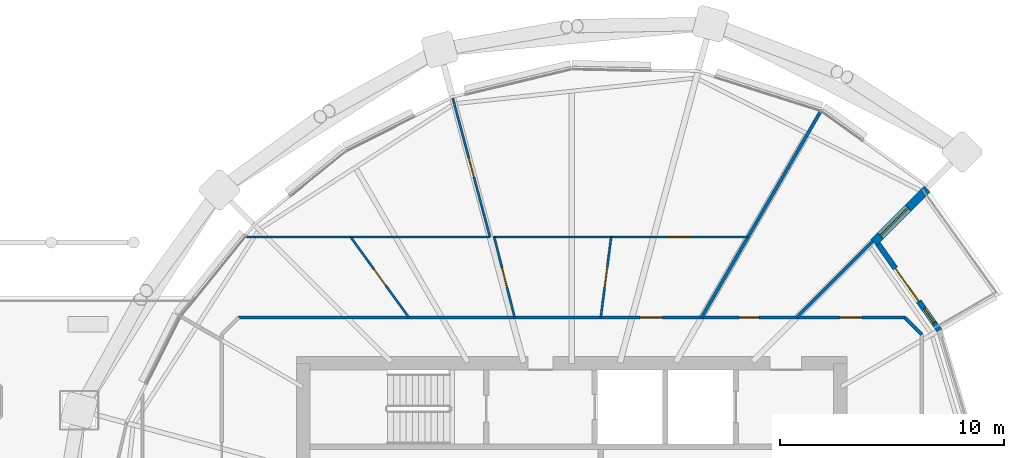
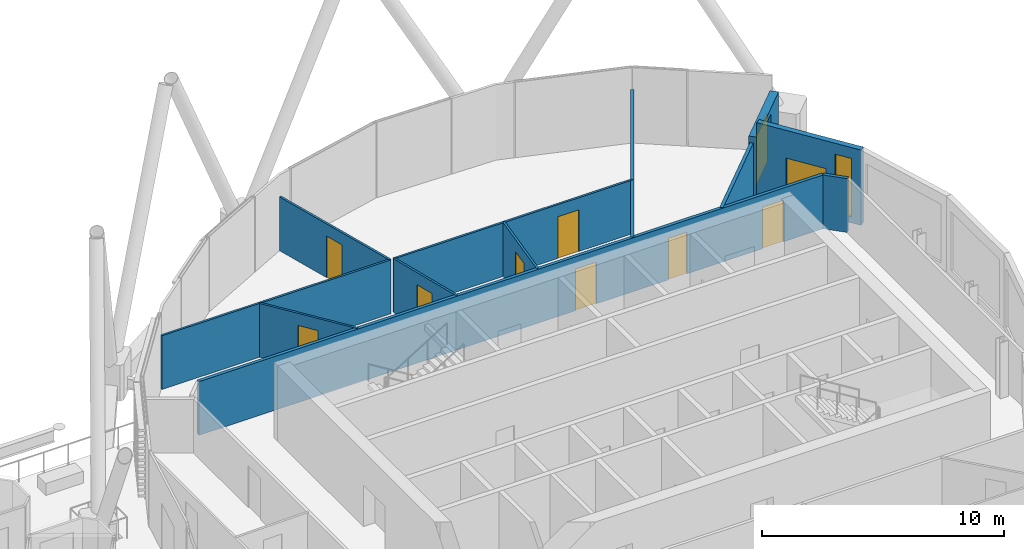
# One storey, part 29 of 38: 12 walls, 9 doors, 2 windows, 11 openings.
"""IFC4 building model written with IfcOpenShell, lengths in metres."""

from ifc_helpers import new_model, si_unit, direction, frame, frame_2d, origin, place, context, subcontext, project, spatial, rectangle, extrude, material, layer, layer_set, type_object, element, fill, save


model = new_model("IFC4")

# Units and contexts
model_context = context("Model", 3, precision=1e-05, world=origin(), true_north=direction((0.0, 1.0)))
body_context = subcontext(model_context, "Body", "Model", "MODEL_VIEW")
ifc_project = project(units=[si_unit("LENGTHUNIT", "METRE"), si_unit("AREAUNIT", "SQUARE_METRE"), si_unit("VOLUMEUNIT", "CUBIC_METRE"), si_unit("PLANEANGLEUNIT", "RADIAN"), si_unit("MASSUNIT", "GRAM", prefix="KILO")], contexts=[model_context])

# Site, building, storey
site_placement = place(None, origin())
site = spatial("IfcSite", under=ifc_project, at=site_placement, CompositionType="ELEMENT")
building_placement = place(site_placement, origin())
building = spatial("IfcBuilding", under=site, at=building_placement, Name="Rimbun Link Towers", CompositionType="ELEMENT")
storey_placement = place(building_placement, frame((0.0, 0.0, 158.89990234375)))
storey = spatial("IfcBuildingStorey", under=building, at=storey_placement, Name="L38", CompositionType="ELEMENT", Elevation=158.89990234375)

# Wall, openings, door, window
ifc_material_1 = material(Name="Dark enamelled glass spandrel on insulated aluminium backpan", Category="aluminium")
ifc_layer_1 = layer(ifc_material_1, 0.25)
ifc_layer_set_1 = layer_set([ifc_layer_1], Name="CS dark enamelled spandrel wall 250")
wall_type_1 = type_object("IfcWallType", Name="CS dark enamelled spandrel wall 250", PredefinedType="STANDARD", material=ifc_layer_set_1)
wall_1_placement = place(storey_placement, frame((45.44677734375, 13.34326171875, 0.0), z_axis=(0.0, 0.0, 1.0), x_axis=(0.578333359796, -0.815800542379, 0.0)))
wall_1 = element("IfcWall", 1, at=wall_1_placement, inside=storey, type_object=wall_type_1, Name="Crease spandrel wall", PredefinedType="STANDARD", context=body_context, shape_type="SweptSolid", body=[
    extrude(rectangle(XDim=4.736572265625, YDim=0.25, at=frame_2d((2.3681640625, 0.0))), origin(), (0.0, 0.0, 1.0), 3.800048828125),
])
opening_1_placement = place(wall_1_placement, frame((3.564208984375, 0.0, 0.300048828125)))
opening_1 = element("IfcOpeningElement", 2, at=opening_1_placement, cuts=wall_1, Name="Opening WR08H295", PredefinedType="OPENING", context=body_context, shape_type="SweptSolid", body=[
    extrude(rectangle(XDim=0.75, YDim=2.949951171875, at=frame_2d((0.375, 1.47509765625))), frame((0.0, 0.135009765625, 0.0), z_axis=(0.0, -1.0, 0.0), x_axis=(1.0, 0.0, 0.0)), (0.0, 0.0, 1.0), 0.27001953125),
])
opening_2_placement = place(wall_1_placement, frame((1.341796875, 0.0, 0.0)))
opening_2 = element("IfcOpeningElement", 3, at=opening_2_placement, cuts=wall_1, Name="Opening ED72", PredefinedType="OPENING", context=body_context, shape_type="SweptSolid", body=[
    extrude(rectangle(XDim=1.800048828125, YDim=2.39990234375, at=frame_2d((0.89990234375, 1.199951171875))), frame((0.0, 0.135009765625, 0.0), z_axis=(0.0, -1.0, 0.0), x_axis=(1.0, 0.0, 0.0)), (0.0, 0.0, 1.0), 0.27001953125),
])
ifc_material_2 = material(Name="Aluminium framed glazed door, low-iron glass", Category="aluminium")
door_type_1 = type_object("IfcDoorType", Name="ED terrace door double leaf 1800X2400", OperationType="DOUBLE_DOOR_SINGLE_SWING", PredefinedType="DOOR", material=ifc_material_2)
door_1_placement = place(opening_2_placement, origin())
door_1 = element("IfcDoor", 4, at=door_1_placement, inside=storey, type_object=door_type_1, Name="Terrace door", OperationType="SINGLE_SWING_LEFT", OverallHeight=2.39990234375, OverallWidth=1.800048828125, PredefinedType="DOOR", context=body_context, shape_type="SweptSolid", body=[
    extrude(rectangle(XDim=1.800048828125, YDim=2.39990234375, at=frame_2d((0.89990234375, 1.199951171875))), frame((0.0, 0.02490234375, 0.0), z_axis=(0.0, -1.0, 0.0), x_axis=(1.0, 0.0, 0.0)), (0.0, 0.0, 1.0), 0.050048828125),
])
fill(opening_2, door_1)
ifc_material_3 = material(Name="Aluminium framed fixed window, dark tinted low-e glass", Category="aluminium")
window_type_1 = type_object("IfcWindowType", Name="WR ribbon window 750X2950", PartitioningType="SINGLE_PANEL", PredefinedType="WINDOW", material=ifc_material_3)
window_1_placement = place(opening_1_placement, origin())
window_1 = element("IfcWindow", 5, at=window_1_placement, inside=storey, type_object=window_type_1, Name="Crease ribbon window", OverallHeight=2.949951171875, OverallWidth=0.75, PartitioningType="SINGLE_PANEL", PredefinedType="WINDOW", context=body_context, shape_type="SweptSolid", body=[
    extrude(rectangle(XDim=0.75, YDim=2.949951171875, at=frame_2d((0.375, 1.47509765625))), frame((0.0, 0.030029296875, 0.0), z_axis=(0.0, -1.0, 0.0), x_axis=(1.0, 0.0, 0.0)), (0.0, 0.0, 1.0), 0.06005859375),
])
fill(opening_1, window_1)

# Wall, opening, window
ifc_material_4 = material(Name="Dark enamelled glass spandrel on insulated aluminium backpan", Category="aluminium")
ifc_layer_2 = layer(ifc_material_4, 0.3701171875)
ifc_layer_set_2 = layer_set([ifc_layer_2], Name="CS dark enamelled spandrel wall 370")
wall_type_2 = type_object("IfcWallType", Name="CS dark enamelled spandrel wall 370", PredefinedType="STANDARD", material=ifc_layer_set_2)
wall_2_placement = place(storey_placement, frame((47.646484375, 15.804443359375, 0.0), z_axis=(0.0, 0.0, 1.0), x_axis=(-0.707142895836, -0.707070664692, 0.0)))
wall_2 = element("IfcWall", 6, at=wall_2_placement, inside=storey, type_object=wall_type_2, Name="Crease spandrel wall", PredefinedType="STANDARD", context=body_context, shape_type="SweptSolid", body=[
    extrude(rectangle(XDim=3.3798828125, YDim=0.3701171875, at=frame_2d((1.68994140625, 0.0))), origin(), (0.0, 0.0, 1.0), 3.03759765625),
])
opening_3_placement = place(wall_2_placement, frame((1.207763671875, 0.0, 0.300048828125)))
opening_3 = element("IfcOpeningElement", 7, at=opening_3_placement, cuts=wall_2, Name="Opening WR18H245", PredefinedType="OPENING", context=body_context, shape_type="SweptSolid", body=[
    extrude(rectangle(XDim=1.75, YDim=2.449951171875, at=frame_2d((0.875, 1.22509765625))), frame((0.0, 0.195068359375, 0.0), z_axis=(0.0, -1.0, 0.0), x_axis=(1.0, 0.0, 0.0)), (0.0, 0.0, 1.0), 0.39013671875),
])
ifc_material_5 = material(Name="Aluminium framed fixed window, dark tinted low-e glass", Category="aluminium")
window_type_2 = type_object("IfcWindowType", Name="WR ribbon window 1750X2450", PartitioningType="SINGLE_PANEL", PredefinedType="WINDOW", material=ifc_material_5)
window_2_placement = place(opening_3_placement, origin())
window_2 = element("IfcWindow", 8, at=window_2_placement, inside=storey, type_object=window_type_2, Name="Crease ribbon window", OverallHeight=2.449951171875, OverallWidth=1.75, PartitioningType="SINGLE_PANEL", PredefinedType="WINDOW", context=body_context, shape_type="SweptSolid", body=[
    extrude(rectangle(XDim=1.75, YDim=2.449951171875, at=frame_2d((0.875, 1.22509765625))), frame((0.0, 0.030029296875, 0.0), z_axis=(0.0, -1.0, 0.0), x_axis=(1.0, 0.0, 0.0)), (0.0, 0.0, 1.0), 0.06005859375),
])
fill(opening_3, window_2)

# Wall
ifc_material_6 = material(Name="Plasterboard on steel stud, mineral wool", Category="steel")
ifc_layer_3 = layer(ifc_material_6, 0.14990234375)
ifc_layer_set_3 = layer_set([ifc_layer_3], Name="Corridor wall EI 30 150 mm")
wall_type_3 = type_object("IfcWallType", Name="Corridor wall EI 30 150 mm", PredefinedType="PARTITIONING", material=ifc_layer_set_3)
wall_3_placement = place(storey_placement, frame((47.405029296875, 9.293701171875, 0.0), z_axis=(0.0, 0.0, 1.0), x_axis=(-0.707106781187, 0.707106781187, 0.0)))
element("IfcWall", 9, at=wall_3_placement, inside=storey, type_object=wall_type_3, Name="Corridor wall EI 30 150 mm", PredefinedType="PARTITIONING", context=body_context, shape_type="SweptSolid", body=[
    extrude(rectangle(XDim=1.07666015625, YDim=0.14990234375, at=frame_2d((0.538330078125, 0.0))), origin(), (0.0, 0.0, 1.0), 2.712158203125),
])

# Wall, openings, doors
wall_4_placement = place(storey_placement, frame((16.856201171875, 10.054931640625, 0.0), z_axis=(0.0, 0.0, 1.0), x_axis=(1.0, 0.0, 0.0)))
wall_4 = element("IfcWall", 10, at=wall_4_placement, inside=storey, type_object=wall_type_3, Name="Corridor wall EI 30 150 mm", PredefinedType="PARTITIONING", context=body_context, shape_type="SweptSolid", body=[
    extrude(rectangle(XDim=29.78759765625, YDim=0.14990234375, at=frame_2d((14.893798828125, 0.0))), origin(), (0.0, 0.0, 1.0), 2.712158203125),
])
opening_4_placement = place(wall_4_placement, frame((22.373779296875, 0.0, 0.0)))
opening_4 = element("IfcOpeningElement", 11, at=opening_4_placement, cuts=wall_4, Name="Opening D02", PredefinedType="OPENING", context=body_context, shape_type="SweptSolid", body=[
    extrude(rectangle(XDim=0.89990234375, YDim=2.10009765625, at=frame_2d((0.449951171875, 1.050048828125))), frame((0.0, 0.0849609375, 0.0), z_axis=(0.0, -1.0, 0.0), x_axis=(1.0, 0.0, 0.0)), (0.0, 0.0, 1.0), 0.169921875),
])
opening_5_placement = place(wall_4_placement, frame((17.944580078125, 0.0, 0.0)))
opening_5 = element("IfcOpeningElement", 12, at=opening_5_placement, cuts=wall_4, Name="Opening D01", PredefinedType="OPENING", context=body_context, shape_type="SweptSolid", body=[
    extrude(rectangle(XDim=1.0, YDim=2.10009765625, at=frame_2d((0.5, 1.050048828125))), frame((0.0, 0.0849609375, 0.0), z_axis=(0.0, -1.0, 0.0), x_axis=(1.0, 0.0, 0.0)), (0.0, 0.0, 1.0), 0.169921875),
])
opening_6_placement = place(wall_4_placement, frame((26.8681640625, 0.0, 0.0)))
opening_6 = element("IfcOpeningElement", 13, at=opening_6_placement, cuts=wall_4, Name="Opening D01", PredefinedType="OPENING", context=body_context, shape_type="SweptSolid", body=[
    extrude(rectangle(XDim=1.0, YDim=2.10009765625, at=frame_2d((0.5, 1.050048828125))), frame((0.0, 0.0849609375, 0.0), z_axis=(0.0, -1.0, 0.0), x_axis=(1.0, 0.0, 0.0)), (0.0, 0.0, 1.0), 0.169921875),
])
ifc_material_7 = material(Name="Fire-resisting timber door leaf", Category="wood")
door_type_2 = type_object("IfcDoorType", Name="Fire door FD30S 1000", OperationType="NOTDEFINED", PredefinedType="DOOR", material=ifc_material_7)
door_2_placement = place(opening_5_placement, origin())
door_2 = element("IfcDoor", 14, at=door_2_placement, inside=storey, type_object=door_type_2, Name="Fire door FD30S 1000 to Tenant lobby", OperationType="SINGLE_SWING_RIGHT", OverallHeight=2.10009765625, OverallWidth=1.0, PredefinedType="DOOR", context=body_context, shape_type="SweptSolid", body=[
    extrude(rectangle(XDim=1.0, YDim=2.10009765625, at=frame_2d((0.5, 1.050048828125))), frame((0.0, 0.02490234375, 0.0), z_axis=(0.0, -1.0, 0.0), x_axis=(1.0, 0.0, 0.0)), (0.0, 0.0, 1.0), 0.050048828125),
])
fill(opening_5, door_2)
door_3_placement = place(opening_6_placement, origin())
door_3 = element("IfcDoor", 15, at=door_3_placement, inside=storey, type_object=door_type_2, Name="Fire door FD30S 1000 to Terrace office", OperationType="SINGLE_SWING_LEFT", OverallHeight=2.10009765625, OverallWidth=1.0, PredefinedType="DOOR", context=body_context, shape_type="SweptSolid", body=[
    extrude(rectangle(XDim=1.0, YDim=2.10009765625, at=frame_2d((0.5, 1.050048828125))), frame((0.0, 0.02490234375, 0.0), z_axis=(0.0, -1.0, 0.0), x_axis=(1.0, 0.0, 0.0)), (0.0, 0.0, 1.0), 0.050048828125),
])
fill(opening_6, door_3)
ifc_material_8 = material(Name="Fire-resisting timber door leaf", Category="wood")
door_type_3 = type_object("IfcDoorType", Name="Fire door FD30S 900", OperationType="NOTDEFINED", PredefinedType="DOOR", material=ifc_material_8)
door_4_placement = place(opening_4_placement, origin())
door_4 = element("IfcDoor", 16, at=door_4_placement, inside=storey, type_object=door_type_3, Name="Fire door FD30S 900 to Print room", OperationType="SINGLE_SWING_LEFT", OverallHeight=2.10009765625, OverallWidth=0.89990234375, PredefinedType="DOOR", context=body_context, shape_type="SweptSolid", body=[
    extrude(rectangle(XDim=0.89990234375, YDim=2.10009765625, at=frame_2d((0.449951171875, 1.050048828125))), frame((0.0, 0.02490234375, 0.0), z_axis=(0.0, -1.0, 0.0), x_axis=(1.0, 0.0, 0.0)), (0.0, 0.0, 1.0), 0.050048828125),
])
fill(opening_4, door_4)

# Wall, opening, door
ifc_material_9 = material(Name="Plasterboard on steel stud", Category="steel")
ifc_layer_4 = layer(ifc_material_9, 0.10009765625)
ifc_layer_set_4 = layer_set([ifc_layer_4], Name="Plasterboard partition 100 mm")
wall_type_4 = type_object("IfcWallType", Name="Plasterboard partition 100 mm", PredefinedType="PARTITIONING", material=ifc_layer_set_4)
wall_5_placement = place(storey_placement, frame((33.046875, 10.054931640625, 0.0), z_axis=(0.0, 0.0, 1.0), x_axis=(0.127858229775, 0.991792454639, 0.0)))
wall_5 = element("IfcWall", 17, at=wall_5_placement, inside=storey, type_object=wall_type_4, Name="Plasterboard partition 100 mm", PredefinedType="PARTITIONING", context=body_context, shape_type="SweptSolid", body=[
    extrude(rectangle(XDim=3.6298828125, YDim=0.10009765625, at=frame_2d((1.81494140625, 0.0))), origin(), (0.0, 0.0, 1.0), 2.712158203125),
])
opening_7_placement = place(wall_5_placement, frame((1.364990234375, 0.0, 0.0)))
opening_7 = element("IfcOpeningElement", 18, at=opening_7_placement, cuts=wall_5, Name="Opening D04", PredefinedType="OPENING", context=body_context, shape_type="SweptSolid", body=[
    extrude(rectangle(XDim=0.89990234375, YDim=2.10009765625, at=frame_2d((0.449951171875, 1.050048828125))), frame((0.0, 0.06005859375, 0.0), z_axis=(0.0, -1.0, 0.0), x_axis=(1.0, 0.0, 0.0)), (0.0, 0.0, 1.0), 0.1201171875),
])
ifc_material_10 = material(Name="Timber door leaf", Category="wood")
door_type_4 = type_object("IfcDoorType", Name="Flush door 900", OperationType="NOTDEFINED", PredefinedType="DOOR", material=ifc_material_10)
door_5_placement = place(opening_7_placement, origin())
door_5 = element("IfcDoor", 19, at=door_5_placement, inside=storey, type_object=door_type_4, Name="Flush door 900 to Huddle room", OperationType="SINGLE_SWING_RIGHT", OverallHeight=2.10009765625, OverallWidth=0.89990234375, PredefinedType="DOOR", context=body_context, shape_type="SweptSolid", body=[
    extrude(rectangle(XDim=0.89990234375, YDim=2.10009765625, at=frame_2d((0.449951171875, 1.050048828125))), frame((0.0, 0.02490234375, 0.0), z_axis=(0.0, -1.0, 0.0), x_axis=(1.0, 0.0, 0.0)), (0.0, 0.0, 1.0), 0.050048828125),
])
fill(opening_7, door_5)

wall_6_placement = place(storey_placement, frame((28.25, 13.655029296875, 0.0), z_axis=(0.0, 0.0, 1.0), x_axis=(1.0, 0.0, 0.0)))
wall_6 = element("IfcWall", 20, at=wall_6_placement, inside=storey, type_object=wall_type_4, Name="Plasterboard partition 100 mm", PredefinedType="PARTITIONING", context=body_context, shape_type="SweptSolid", body=[
    extrude(rectangle(XDim=11.3837890625, YDim=0.10009765625, at=frame_2d((5.69189453125, 0.0))), origin(), (0.0, 0.0, 1.0), 2.712158203125),
])
opening_8_placement = place(wall_6_placement, frame((7.807373046875, 0.0, 0.0)))
opening_8 = element("IfcOpeningElement", 21, at=opening_8_placement, cuts=wall_6, Name="Opening D03", PredefinedType="OPENING", context=body_context, shape_type="SweptSolid", body=[
    extrude(rectangle(XDim=1.0, YDim=2.10009765625, at=frame_2d((0.5, 1.050048828125))), frame((0.0, 0.06005859375, 0.0), z_axis=(0.0, -1.0, 0.0), x_axis=(1.0, 0.0, 0.0)), (0.0, 0.0, 1.0), 0.1201171875),
])
ifc_material_11 = material(Name="Timber door leaf", Category="wood")
door_type_5 = type_object("IfcDoorType", Name="Flush door 1000", OperationType="NOTDEFINED", PredefinedType="DOOR", material=ifc_material_11)
door_6_placement = place(opening_8_placement, origin())
door_6 = element("IfcDoor", 22, at=door_6_placement, inside=storey, type_object=door_type_5, Name="Flush door 1000 to Open office", OperationType="SINGLE_SWING_LEFT", OverallHeight=2.10009765625, OverallWidth=1.0, PredefinedType="DOOR", context=body_context, shape_type="SweptSolid", body=[
    extrude(rectangle(XDim=1.0, YDim=2.10009765625, at=frame_2d((0.5, 1.050048828125))), frame((0.0, 0.02490234375, 0.0), z_axis=(0.0, -1.0, 0.0), x_axis=(1.0, 0.0, 0.0)), (0.0, 0.0, 1.0), 0.050048828125),
])
fill(opening_8, door_6)

wall_7_placement = place(storey_placement, frame((29.194580078125, 10.054931640625, 0.0), z_axis=(0.0, 0.0, 1.0), x_axis=(-0.246276351741, 0.969199648459, 0.0)))
wall_7 = element("IfcWall", 23, at=wall_7_placement, inside=storey, type_object=wall_type_4, Name="Plasterboard partition 100 mm", PredefinedType="PARTITIONING", context=body_context, shape_type="SweptSolid", body=[
    extrude(rectangle(XDim=3.714599609375, YDim=0.10009765625, at=frame_2d((1.857421875, 0.0))), origin(), (0.0, 0.0, 1.0), 2.712158203125),
])
opening_9_placement = place(wall_7_placement, frame((1.4072265625, 0.0, 0.0)))
opening_9 = element("IfcOpeningElement", 24, at=opening_9_placement, cuts=wall_7, Name="Opening D04", PredefinedType="OPENING", context=body_context, shape_type="SweptSolid", body=[
    extrude(rectangle(XDim=0.89990234375, YDim=2.10009765625, at=frame_2d((0.449951171875, 1.050048828125))), frame((0.0, 0.06005859375, 0.0), z_axis=(0.0, -1.0, 0.0), x_axis=(1.0, 0.0, 0.0)), (0.0, 0.0, 1.0), 0.1201171875),
])
door_7_placement = place(opening_9_placement, origin())
door_7 = element("IfcDoor", 25, at=door_7_placement, inside=storey, type_object=door_type_4, Name="Flush door 900 to Huddle room", OperationType="SINGLE_SWING_LEFT", OverallHeight=2.10009765625, OverallWidth=0.89990234375, PredefinedType="DOOR", context=body_context, shape_type="SweptSolid", body=[
    extrude(rectangle(XDim=0.89990234375, YDim=2.10009765625, at=frame_2d((0.449951171875, 1.050048828125))), frame((0.0, 0.02490234375, 0.0), z_axis=(0.0, -1.0, 0.0), x_axis=(1.0, 0.0, 0.0)), (0.0, 0.0, 1.0), 0.050048828125),
])
fill(opening_9, door_7)

wall_8_placement = place(storey_placement, frame((24.4658203125, 10.054931640625, 0.0), z_axis=(0.0, 0.0, 1.0), x_axis=(-0.586684960806, 0.809815260886, 0.0)))
wall_8 = element("IfcWall", 26, at=wall_8_placement, inside=storey, type_object=wall_type_4, Name="Plasterboard partition 100 mm", PredefinedType="PARTITIONING", context=body_context, shape_type="SweptSolid", body=[
    extrude(rectangle(XDim=4.445556640625, YDim=0.10009765625, at=frame_2d((2.22265625, 0.0))), origin(), (0.0, 0.0, 1.0), 2.712158203125),
])
opening_10_placement = place(wall_8_placement, frame((1.772705078125, 0.0, 0.0)))
opening_10 = element("IfcOpeningElement", 27, at=opening_10_placement, cuts=wall_8, Name="Opening D04", PredefinedType="OPENING", context=body_context, shape_type="SweptSolid", body=[
    extrude(rectangle(XDim=0.89990234375, YDim=2.10009765625, at=frame_2d((0.449951171875, 1.050048828125))), frame((0.0, 0.06005859375, 0.0), z_axis=(0.0, -1.0, 0.0), x_axis=(1.0, 0.0, 0.0)), (0.0, 0.0, 1.0), 0.1201171875),
])
door_8_placement = place(opening_10_placement, origin())
door_8 = element("IfcDoor", 28, at=door_8_placement, inside=storey, type_object=door_type_4, Name="Flush door 900 to Pantry", OperationType="SINGLE_SWING_RIGHT", OverallHeight=2.10009765625, OverallWidth=0.89990234375, PredefinedType="DOOR", context=body_context, shape_type="SweptSolid", body=[
    extrude(rectangle(XDim=0.89990234375, YDim=2.10009765625, at=frame_2d((0.449951171875, 1.050048828125))), frame((0.0, 0.02490234375, 0.0), z_axis=(0.0, -1.0, 0.0), x_axis=(1.0, 0.0, 0.0)), (0.0, 0.0, 1.0), 0.050048828125),
])
fill(opening_10, door_8)

# Wall
wall_9_placement = place(storey_placement, frame((28.09130859375, 13.655029296875, 0.0), z_axis=(0.0, 0.0, 1.0), x_axis=(-1.0, 0.0, 0.0)))
element("IfcWall", 29, at=wall_9_placement, inside=storey, type_object=wall_type_4, Name="Plasterboard partition 100 mm", PredefinedType="PARTITIONING", context=body_context, shape_type="SweptSolid", body=[
    extrude(rectangle(XDim=10.918701171875, YDim=0.10009765625, at=frame_2d((5.45947265625, 0.0))), origin(), (0.0, 0.0, 1.0), 2.712158203125),
])

# Wall, opening, door
wall_10_placement = place(storey_placement, frame((28.09130859375, 13.655029296875, 0.0), z_axis=(0.0, 0.0, 1.0), x_axis=(-0.258831074452, 0.965922602954, 0.0)))
wall_10 = element("IfcWall", 30, at=wall_10_placement, inside=storey, type_object=wall_type_4, Name="Plasterboard partition 100 mm", PredefinedType="PARTITIONING", context=body_context, shape_type="SweptSolid", body=[
    extrude(rectangle(XDim=6.423583984375, YDim=0.10009765625, at=frame_2d((3.2119140625, 0.0))), origin(), (0.0, 0.0, 1.0), 2.712158203125),
])
opening_11_placement = place(wall_10_placement, frame((2.76171875, 0.0, 0.0)))
opening_11 = element("IfcOpeningElement", 31, at=opening_11_placement, cuts=wall_10, Name="Opening D04", PredefinedType="OPENING", context=body_context, shape_type="SweptSolid", body=[
    extrude(rectangle(XDim=0.89990234375, YDim=2.10009765625, at=frame_2d((0.449951171875, 1.050048828125))), frame((0.0, 0.06005859375, 0.0), z_axis=(0.0, -1.0, 0.0), x_axis=(1.0, 0.0, 0.0)), (0.0, 0.0, 1.0), 0.1201171875),
])
door_9_placement = place(opening_11_placement, origin())
door_9 = element("IfcDoor", 32, at=door_9_placement, inside=storey, type_object=door_type_4, Name="Flush door 900 to Project room", OperationType="SINGLE_SWING_RIGHT", OverallHeight=2.10009765625, OverallWidth=0.89990234375, PredefinedType="DOOR", context=body_context, shape_type="SweptSolid", body=[
    extrude(rectangle(XDim=0.89990234375, YDim=2.10009765625, at=frame_2d((0.449951171875, 1.050048828125))), frame((0.0, 0.02490234375, 0.0), z_axis=(0.0, -1.0, 0.0), x_axis=(1.0, 0.0, 0.0)), (0.0, 0.0, 1.0), 0.050048828125),
])
fill(opening_11, door_9)

# Walls
ifc_material_12 = material(Name="Plasterboard on steel stud, mineral wool", Category="steel")
ifc_layer_5 = layer(ifc_material_12, 0.14990234375)
ifc_layer_set_5 = layer_set([ifc_layer_5], Name="Tenancy separation wall EI 60 150 mm")
wall_type_5 = type_object("IfcWallType", Name="Tenancy separation wall EI 60 150 mm", PredefinedType="PARTITIONING", material=ifc_layer_set_5)
wall_11_placement = place(storey_placement, frame((41.804931640625, 10.054931640625, 0.0), z_axis=(0.0, 0.0, 1.0), x_axis=(0.707106781187, 0.707106781187, 0.0)))
element("IfcWall", 33, at=wall_11_placement, inside=storey, type_object=wall_type_5, Name="Tenancy separation wall EI 60 150 mm", PredefinedType="PARTITIONING", context=body_context, shape_type="SweptSolid", body=[
    extrude(rectangle(XDim=4.816162109375, YDim=0.14990234375, at=frame_2d((2.408203125, 0.0))), origin(), (0.0, 0.0, 1.0), 2.712158203125),
])
wall_12_placement = place(storey_placement, frame((37.555419921875, 10.054931640625, 0.0), z_axis=(0.0, 0.0, 1.0), x_axis=(0.499982733475, 0.866035372388, 0.0)))
element("IfcWall", 34, at=wall_12_placement, inside=storey, type_object=wall_type_5, Name="Tenancy separation wall EI 60 150 mm", PredefinedType="PARTITIONING", context=body_context, shape_type="SweptSolid", body=[
    extrude(rectangle(XDim=10.63671875, YDim=0.14990234375, at=frame_2d((5.318359375, 0.0))), origin(), (0.0, 0.0, 1.0), 2.712158203125),
])

save(model, "model.ifc")
